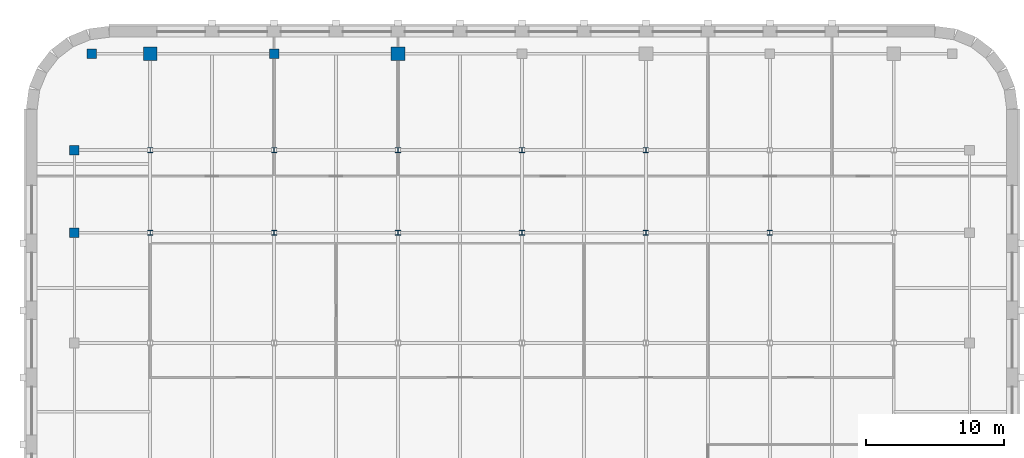
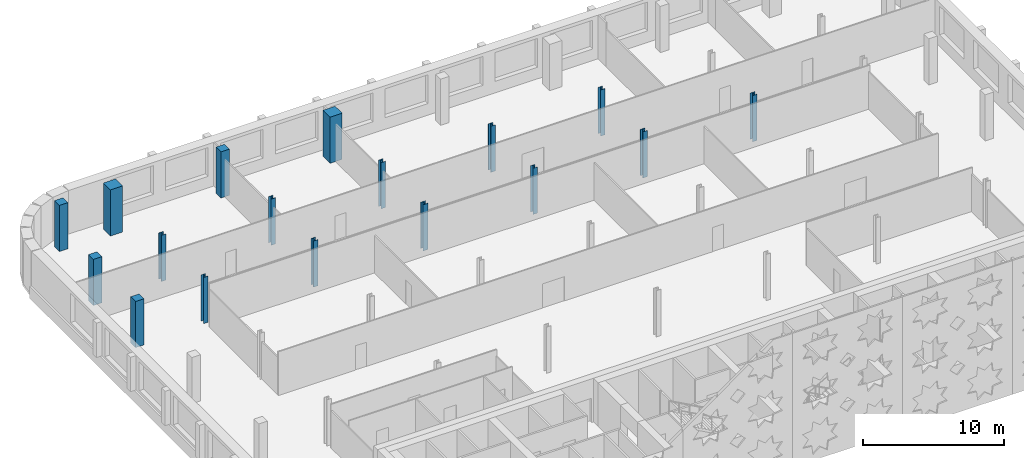
# One storey, part 3 of 15: 17 columns.
"""IFC4 building model written with IfcOpenShell, lengths in metres."""

from ifc_helpers import new_model, si_unit, direction, frame, origin, origin_2d, place, context, subcontext, project, spatial, rectangle, i_section, extrude, material, material_profile, profile_set, type_object, element, save


model = new_model("IFC4")

# Units and contexts
model_context = context("Model", 3, precision=1e-05, world=origin(), true_north=direction((0.0, 1.0)))
body_context = subcontext(model_context, "Body", "Model", "MODEL_VIEW")
ifc_project = project(units=[si_unit("LENGTHUNIT", "METRE"), si_unit("AREAUNIT", "SQUARE_METRE"), si_unit("VOLUMEUNIT", "CUBIC_METRE"), si_unit("PLANEANGLEUNIT", "RADIAN"), si_unit("MASSUNIT", "GRAM", prefix="KILO")], contexts=[model_context])

# Site, building, storey
site_placement = place(None, origin())
site = spatial("IfcSite", under=ifc_project, at=site_placement, CompositionType="ELEMENT")
building_placement = place(site_placement, origin())
building = spatial("IfcBuilding", under=site, at=building_placement, Name="Zellij Exchange Tower", CompositionType="ELEMENT")
storey_placement = place(building_placement, frame((0.0, 0.0, 276.5)))
storey = spatial("IfcBuildingStorey", under=building, at=storey_placement, Name="L65", CompositionType="ELEMENT", Elevation=276.5)

# Columns
ifc_material_1 = material(Name="Concrete C50/60", Category="concrete")
ifc_material_profile_1 = material_profile(ifc_material_1, rectangle(XDim=0.699951171875, YDim=0.699951171875, at=origin_2d()), Name="STR-COLUMN RC700x700 C50/60")
ifc_profile_set_1 = profile_set([ifc_material_profile_1], Name="Concrete C50/60")
column_type_1 = type_object("IfcColumnType", Name="STR-COLUMN RC700x700 C50/60", PredefinedType="COLUMN", material=ifc_profile_set_1)
for number, where, z_axis, x_axis, name in (
    (1, (-32.5, 22.0, 0.0), (0.0, 0.0, 1.0), (1.0, 0.0, 0.0), "C14"),
    (2, (-32.5, 28.0, 0.0), (0.0, 0.0, 1.0), (1.0, 0.0, 0.0), "C14"),
    (3, (-31.25, 35.0, 0.0), (0.0, 0.0, 1.0), (1.0, 0.0, 0.0), "C14"),
    (4, (-18.0, 35.0, 0.0), (0.0, 0.0, 1.0), (1.0, 0.0, 0.0), "C14"),
):
    element("IfcColumn", number, at=place(storey_placement, frame(where, z_axis=z_axis, x_axis=x_axis)), inside=storey, type_object=column_type_1, Name=name, PredefinedType="COLUMN", context=body_context, shape_type="SweptSolid", body=[
        extrude(rectangle(XDim=0.699951171875, YDim=0.699951171875, at=origin_2d()), origin(), (0.0, 0.0, 1.0), 4.0),
    ])
ifc_material_2 = material(Name="Structural steel ASTM A992 Gr 50", Category="steel")
ifc_material_profile_2 = material_profile(ifc_material_2, i_section(OverallWidth=0.373291015625, OverallDepth=0.373291015625, WebThickness=0.016357421875, FlangeThickness=0.026123046875, at=origin_2d()), Name="W14x132")
ifc_profile_set_2 = profile_set([ifc_material_profile_2], Name="Structural steel ASTM A992 Gr 50")
column_type_2 = type_object("IfcColumnType", Name="STR-COLUMN W14x132", PredefinedType="COLUMN", material=ifc_profile_set_2)
for number, where, z_axis, x_axis, name in (
    (5, (-27.0, 22.0, 0.0), (0.0, 0.0, 1.0), (1.0, 0.0, 0.0), "C1"),
    (6, (-18.0, 22.0, 0.0), (0.0, 0.0, 1.0), (1.0, 0.0, 0.0), "C1"),
    (7, (-9.0, 22.0, 0.0), (0.0, 0.0, 1.0), (1.0, 0.0, 0.0), "C1"),
    (8, (0.0, 22.0, 0.0), (0.0, 0.0, 1.0), (1.0, 0.0, 0.0), "C1"),
    (9, (9.0, 22.0, 0.0), (0.0, 0.0, 1.0), (1.0, 0.0, 0.0), "C1"),
    (10, (18.0, 22.0, 0.0), (0.0, 0.0, 1.0), (1.0, 0.0, 0.0), "C1"),
    (11, (-27.0, 28.0, 0.0), (0.0, 0.0, 1.0), (1.0, 0.0, 0.0), "C1"),
    (12, (-18.0, 28.0, 0.0), (0.0, 0.0, 1.0), (1.0, 0.0, 0.0), "C1"),
    (13, (-9.0, 28.0, 0.0), (0.0, 0.0, 1.0), (1.0, 0.0, 0.0), "C1"),
    (14, (0.0, 28.0, 0.0), (0.0, 0.0, 1.0), (1.0, 0.0, 0.0), "C1"),
    (15, (9.0, 28.0, 0.0), (0.0, 0.0, 1.0), (1.0, 0.0, 0.0), "C1"),
):
    element("IfcColumn", number, at=place(storey_placement, frame(where, z_axis=z_axis, x_axis=x_axis)), inside=storey, type_object=column_type_2, Name=name, PredefinedType="COLUMN", context=body_context, shape_type="SweptSolid", body=[
        extrude(i_section(OverallWidth=0.373291015625, OverallDepth=0.373291015625, WebThickness=0.016357421875, FlangeThickness=0.026123046875, at=origin_2d()), origin(), (0.0, 0.0, 1.0), 4.0),
    ])
ifc_material_profile_3 = material_profile(ifc_material_1, rectangle(XDim=1.0, YDim=1.0, at=origin_2d()), Name="STR-MEGA COLUMN RC1000x1000 C50/60")
ifc_profile_set_3 = profile_set([ifc_material_profile_3], Name="Concrete C50/60")
column_type_3 = type_object("IfcColumnType", Name="STR-MEGA COLUMN RC1000x1000 C50/60", PredefinedType="COLUMN", material=ifc_profile_set_3)
for number, where, z_axis, x_axis, name in (
    (16, (-27.0, 35.0, 0.0), (0.0, 0.0, 1.0), (1.0, 0.0, 0.0), "MC1"),
    (17, (-9.0, 35.0, 0.0), (0.0, 0.0, 1.0), (1.0, 0.0, 0.0), "MC1"),
):
    element("IfcColumn", number, at=place(storey_placement, frame(where, z_axis=z_axis, x_axis=x_axis)), inside=storey, type_object=column_type_3, Name=name, PredefinedType="COLUMN", context=body_context, shape_type="SweptSolid", body=[
        extrude(rectangle(XDim=1.0, YDim=1.0, at=origin_2d()), origin(), (0.0, 0.0, 1.0), 4.0),
    ])

save(model, "model.ifc")
